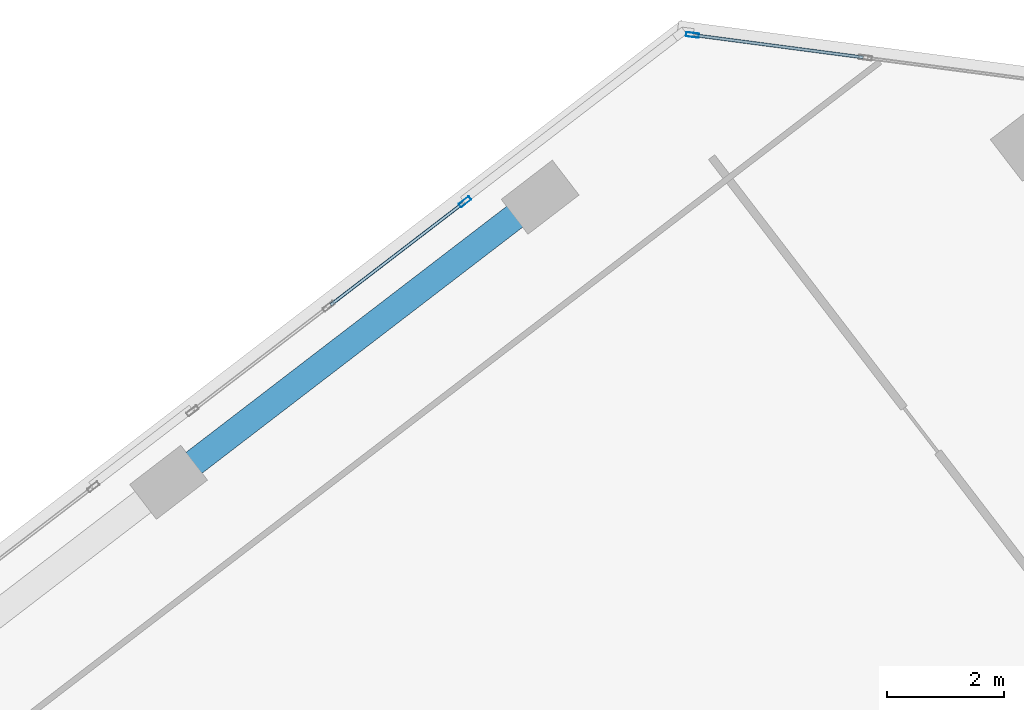
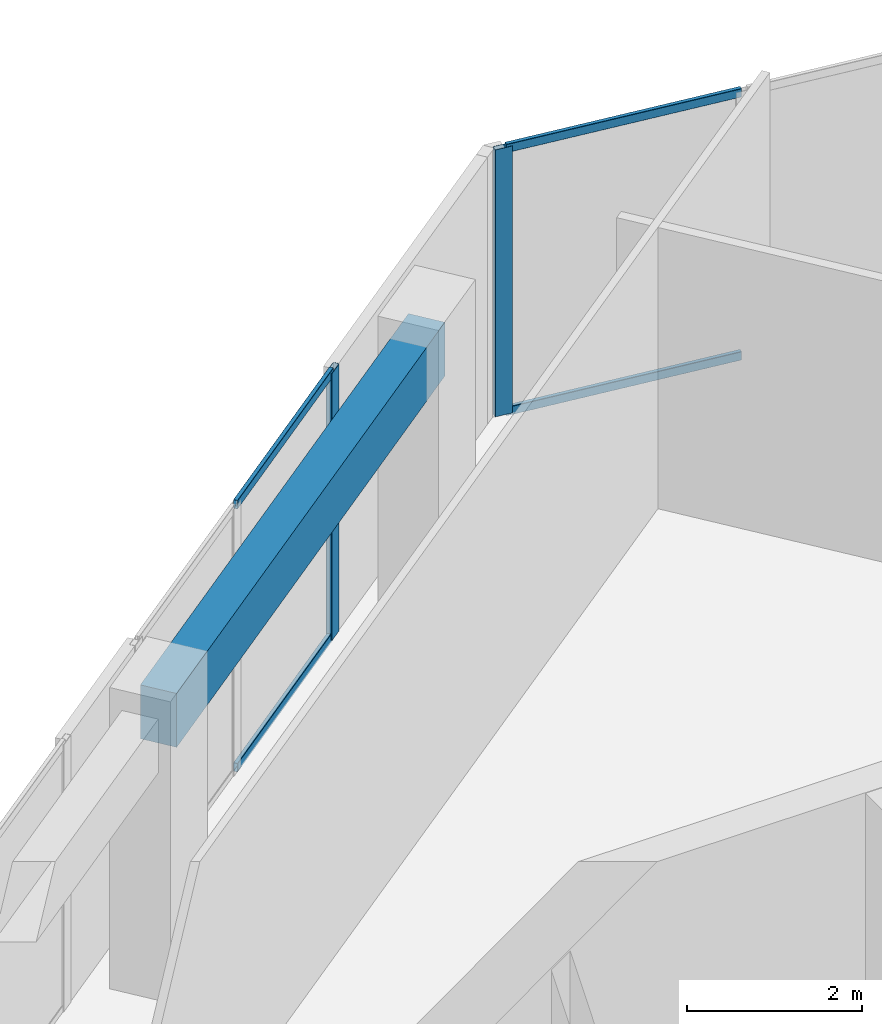
# One storey, part 9 of 17: 6 members, 1 beam, 2 elements without a shape of their own.
"""IFC4 building model written with IfcOpenShell, lengths in metres."""

from ifc_helpers import new_model, si_unit, direction, frame, origin, origin_2d, place, context, subcontext, project, spatial, rectangle, hollow_rectangle, extrude, source, transform, mapped, material, material_profile, profile_set, type_object, element, aggregate, save


model = new_model("IFC4")

# Units and contexts
model_context = context("Model", 3, precision=1e-05, world=origin(), true_north=direction((0.0, 1.0)))
body_context = subcontext(model_context, "Body", "Model", "MODEL_VIEW")
ifc_project = project(units=[si_unit("LENGTHUNIT", "METRE"), si_unit("AREAUNIT", "SQUARE_METRE"), si_unit("VOLUMEUNIT", "CUBIC_METRE"), si_unit("PLANEANGLEUNIT", "RADIAN"), si_unit("MASSUNIT", "GRAM", prefix="KILO")], contexts=[model_context])

# Site, building, storey
site_placement = place(None, origin())
site = spatial("IfcSite", under=ifc_project, at=site_placement, CompositionType="ELEMENT")
building_placement = place(site_placement, origin())
building = spatial("IfcBuilding", under=site, at=building_placement, Name="Torre Montelarca", CompositionType="ELEMENT")
storey_placement = place(building_placement, frame((0.0, 0.0, 283.60009765625)))
storey = spatial("IfcBuildingStorey", under=building, at=storey_placement, Name="L64", CompositionType="ELEMENT", Elevation=283.60009765625)

# Beam
ifc_material_1 = material(Name="Concrete C55/67", Category="concrete")
ifc_material_profile_1 = material_profile(ifc_material_1, rectangle(XDim=0.449951171875, YDim=0.75, at=origin_2d()), Name="RCB450X750", Category="concrete")
ifc_profile_set_1 = profile_set([ifc_material_profile_1], Name="Concrete C55/67")
beam_type = type_object("IfcBeamType", Name="BM-SP-RC750-EXT", PredefinedType="SPANDREL", material=ifc_profile_set_1)
shared_shape_1 = source(origin(), body_context, "Body", "SweptSolid", [
    extrude(rectangle(XDim=0.449951171875, YDim=0.75, at=origin_2d()), origin(), (0.0, 0.0, 1.0), 8.0),
])
beam_placement = place(storey_placement, frame((11.242431640625, 45.367919921875, 3.544921875), z_axis=(0.793344974033, 0.608772331974, 0.0), x_axis=(-0.608772331974, 0.793344974033, 0.0)))
element("IfcBeam", 1, at=beam_placement, inside=storey, type_object=beam_type, Name="L64 Grid Girder Y 32.0-40.0 at X=4.7", PredefinedType="SPANDREL", context=body_context, shape_type="MappedRepresentation", body=[
    mapped(shared_shape_1, transform((0.0, 0.0, 0.0), scale=1.0)),
])

# Curtain wall, members
ifc_material_2 = material(Name="Insulated low-E laminated glass", Category="glass")
curtain_wall_type = type_object("IfcCurtainWallType", Name="CW-SYS-Z3", PredefinedType="USERDEFINED", material=ifc_material_2)
curtain_wall_1_placement = place(storey_placement, origin())
curtain_wall_1 = element("IfcCurtainWall", 2, at=curtain_wall_1_placement, inside=storey, type_object=curtain_wall_type, Name="L64 Curtain Wall Run CW-T3-L64-E09-B1", ObjectType="UNITISED GLAZING", PredefinedType="USERDEFINED")
ifc_material_3 = material(Name="Anodised aluminium AA 6063-T6", Category="aluminium")
ifc_material_profile_2 = material_profile(ifc_material_3, hollow_rectangle(XDim=0.054931640625, YDim=0.1201171875, WallThickness=0.00341796875, InnerFilletRadius=0.00341796875, OuterFilletRadius=0.007080078125, at=origin_2d()), Name="ALU55X120X3.5", Category="aluminium")
ifc_profile_set_2 = profile_set([ifc_material_profile_2], Name="Anodised aluminium AA 6063-T6")
member_type_1 = type_object("IfcMemberType", Name="CWT-ALU120", PredefinedType="USERDEFINED", material=ifc_profile_set_2)
shared_shape_2 = source(origin(), body_context, "Body", "SweptSolid", [
    extrude(hollow_rectangle(XDim=0.054931640625, YDim=0.1201171875, WallThickness=0.00341796875, InnerFilletRadius=0.00341796875, OuterFilletRadius=0.007080078125, at=origin_2d()), origin(), (0.0, 0.0, 1.0), 2.903564453125),
])
member_1_placement = place(storey_placement, frame((23.107666015625, 52.62548828125, 0.02734375), z_axis=(-0.991448284318, 0.130500189743, 0.0), x_axis=(-0.130500189743, -0.991448284318, 0.0)))
member_1 = element("IfcMember", 3, at=member_1_placement, type_object=member_type_1, Name="CW transom 2.1", ObjectType="TRANSOM", PredefinedType="USERDEFINED", context=body_context, shape_type="MappedRepresentation", body=[
    mapped(shared_shape_2, transform((0.0, 0.0, 0.0), scale=1.0)),
])
member_2_placement = place(storey_placement, frame((23.107666015625, 52.62548828125, 3.6923828125), z_axis=(-0.991448284318, 0.130500189743, 0.0), x_axis=(-0.130500189743, -0.991448284318, 0.0)))
member_2 = element("IfcMember", 4, at=member_2_placement, type_object=member_type_1, Name="CW transom 2.2", ObjectType="TRANSOM", PredefinedType="USERDEFINED", context=body_context, shape_type="MappedRepresentation", body=[
    mapped(shared_shape_2, transform((0.0, 0.0, 0.0), scale=1.0)),
])
ifc_material_profile_3 = material_profile(ifc_material_3, hollow_rectangle(XDim=0.074951171875, YDim=0.219970703125, WallThickness=0.0048828125, InnerFilletRadius=0.0048828125, OuterFilletRadius=0.010009765625, at=origin_2d()), Name="ALU75X220X5", Category="aluminium")
ifc_profile_set_3 = profile_set([ifc_material_profile_3], Name="Anodised aluminium AA 6063-T6")
member_type_2 = type_object("IfcMemberType", Name="CWM-ALU220", PredefinedType="MULLION", material=ifc_profile_set_3)
shared_shape_3 = source(origin(), body_context, "Body", "SweptSolid", [
    extrude(hollow_rectangle(XDim=0.074951171875, YDim=0.219970703125, WallThickness=0.0048828125, InnerFilletRadius=0.0048828125, OuterFilletRadius=0.010009765625, at=origin_2d()), origin(), (0.0, 0.0, 1.0), 3.719970703125),
])
member_3_placement = place(storey_placement, frame((20.19189453125, 53.009521484375, 0.0), z_axis=(0.0, 0.0, 1.0), x_axis=(-0.130514118862, -0.991446450787, 0.0)))
member_3 = element("IfcMember", 5, at=member_3_placement, type_object=member_type_2, Name="CW mullion 3", PredefinedType="MULLION", context=body_context, shape_type="MappedRepresentation", body=[
    mapped(shared_shape_3, transform((0.0, 0.0, 0.0), scale=1.0)),
])
aggregate(curtain_wall_1, [member_3, member_1, member_2])

curtain_wall_2_placement = place(storey_placement, origin())
curtain_wall_2 = element("IfcCurtainWall", 6, at=curtain_wall_2_placement, inside=storey, type_object=curtain_wall_type, Name="L64 Curtain Wall Run CW-T3-L64-E10-B1", ObjectType="UNITISED GLAZING", PredefinedType="USERDEFINED")
member_4_placement = place(storey_placement, frame((16.303955078125, 50.159423828125, 0.0), z_axis=(0.0, 0.0, 1.0), x_axis=(0.608769012502, -0.793347521215, 0.0)))
member_4 = element("IfcMember", 7, at=member_4_placement, type_object=member_type_2, Name="CW mullion 1", PredefinedType="MULLION", context=body_context, shape_type="MappedRepresentation", body=[
    mapped(shared_shape_3, transform((0.0, 0.0, 0.0), scale=1.0)),
])
shared_shape_4 = source(origin(), body_context, "Body", "SweptSolid", [
    extrude(hollow_rectangle(XDim=0.054931640625, YDim=0.1201171875, WallThickness=0.00341796875, InnerFilletRadius=0.00341796875, OuterFilletRadius=0.007080078125, at=origin_2d()), origin(), (0.0, 0.0, 1.0), 2.857666015625),
])
member_5_placement = place(storey_placement, frame((16.274169921875, 50.13671875, 0.02734375), z_axis=(-0.793328517532, -0.608793777292, 0.0), x_axis=(0.608793777292, -0.793328517532, 0.0)))
member_5 = element("IfcMember", 8, at=member_5_placement, type_object=member_type_1, Name="CW transom 1.1", ObjectType="TRANSOM", PredefinedType="USERDEFINED", context=body_context, shape_type="MappedRepresentation", body=[
    mapped(shared_shape_4, transform((0.0, 0.0, 0.0), scale=1.0)),
])
member_6_placement = place(storey_placement, frame((16.274169921875, 50.13671875, 3.6923828125), z_axis=(-0.793328517532, -0.608793777292, 0.0), x_axis=(0.608793777292, -0.793328517532, 0.0)))
member_6 = element("IfcMember", 9, at=member_6_placement, type_object=member_type_1, Name="CW transom 1.2", ObjectType="TRANSOM", PredefinedType="USERDEFINED", context=body_context, shape_type="MappedRepresentation", body=[
    mapped(shared_shape_4, transform((0.0, 0.0, 0.0), scale=1.0)),
])
aggregate(curtain_wall_2, [member_4, member_5, member_6])

save(model, "model.ifc")
